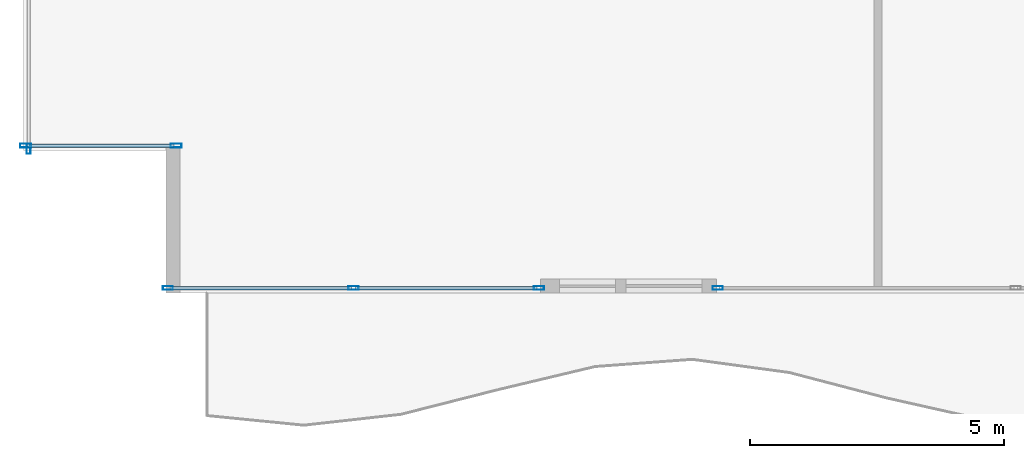
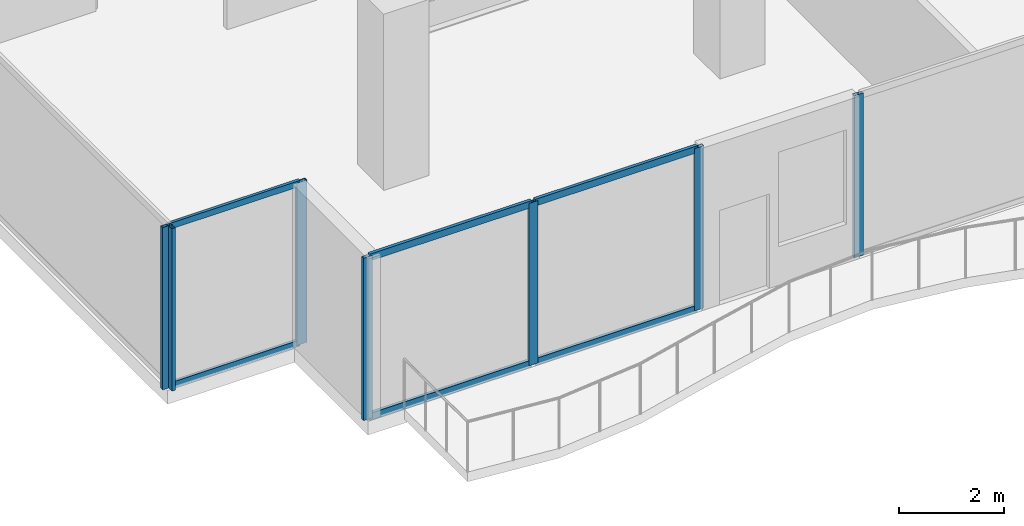
# One storey, part 2 of 31: 13 members, 4 elements without a shape of their own.
"""IFC4 building model written with IfcOpenShell, lengths in metres."""

import ifcopenshell
import ifcopenshell.guid

model = None  # the IFC model being written
_history = None  # IfcOwnerHistory: only IFC2X3 demands one
_inside = {}  # id of a spatial element -> (the spatial element, [elements in it])
_under = {}  # id of a project, library or spatial element -> (it, [spatial elements below it])
_declared = {}  # id of a project -> (the project, [libraries it declares])
_typed = {}  # id of a type object -> (the type object, [elements of that type])
_made_of = {}  # id of a material, layer set ... -> (it, [elements and type objects made of it])


def new_model(schema):
    """Start an empty IFC model of exactly this schema.

    Asked for "IFC4X3", IfcOpenShell would pick the latest addendum, in which some entities
    have other attributes; the version numbers below select the first issue.
    IFC2X3 requires an IfcOwnerHistory on every rooted entity: one is made here for all.
    """
    global model, _history
    if schema == "IFC4X3":
        model = ifcopenshell.file(schema_version=(4, 3, 0, 0))
    else:
        model = ifcopenshell.file(schema=schema)
    _inside.clear()
    _under.clear()
    _declared.clear()
    _typed.clear()
    _made_of.clear()
    _history = None
    if model.schema == "IFC2X3":
        org = make("IfcOrganization", Name="unknown")
        user = make(
            "IfcPersonAndOrganization",
            ThePerson=make("IfcPerson", FamilyName="unknown"),
            TheOrganization=org,
        )
        app = make(
            "IfcApplication",
            ApplicationDeveloper=org,
            Version="unknown",
            ApplicationFullName="unknown",
            ApplicationIdentifier="unknown",
        )
        _history = make(
            "IfcOwnerHistory",
            OwningUser=user,
            OwningApplication=app,
            ChangeAction="ADDED",
            CreationDate=0,
        )
    return model


def make(cls, **values):
    """One entity of the class cls with the attributes given. An attribute that is None is left unset."""
    return model.create_entity(
        cls, **{name: value for name, value in values.items() if value is not None}
    )


def rooted(cls, **values):
    """An entity with a GlobalId (a new one), such as an element, a storey or a relation."""
    return make(cls, GlobalId=ifcopenshell.guid.new(), OwnerHistory=_history, **values)


def si_unit(unit_type, name, prefix=None):
    """IfcSIUnit, for example si_unit("LENGTHUNIT", "METRE", prefix="MILLI")."""
    return make("IfcSIUnit", UnitType=unit_type, Prefix=prefix, Name=name)


def assignment(units):
    """IfcUnitAssignment: the units of a project."""
    return None if units is None else make("IfcUnitAssignment", Units=units)


def point(xyz):
    """IfcCartesianPoint."""
    return None if xyz is None else make("IfcCartesianPoint", Coordinates=xyz)


def direction(xyz):
    """IfcDirection."""
    return None if xyz is None else make("IfcDirection", DirectionRatios=xyz)


def frame(location, z_axis=None, x_axis=None):
    """IfcAxis2Placement3D, a coordinate frame: its origin and axes. An axis left out is left unset."""
    return make(
        "IfcAxis2Placement3D",
        Location=point(location),
        Axis=direction(z_axis),
        RefDirection=direction(x_axis),
    )


def frame_2d(location, x_axis=None):
    """IfcAxis2Placement2D, a coordinate frame in the plane: its origin and x axis."""
    return make(
        "IfcAxis2Placement2D", Location=point(location), RefDirection=direction(x_axis)
    )


def origin():
    """The frame at (0, 0, 0) with its axes left unset."""
    return frame((0.0, 0.0, 0.0))


def origin_2d():
    """The frame at (0, 0) in the plane with its x axis left unset."""
    return frame_2d((0.0, 0.0))


def place(relative_to, where):
    """IfcLocalPlacement: puts the frame where relative to a parent placement (None: the world)."""
    return make(
        "IfcLocalPlacement", PlacementRelTo=relative_to, RelativePlacement=where
    )


def context(
    kind, dimensions, precision=None, world=None, true_north=None, identifier=None
):
    """IfcGeometricRepresentationContext, for example the 3D "Model" context."""
    return make(
        "IfcGeometricRepresentationContext",
        ContextIdentifier=identifier,
        ContextType=kind,
        CoordinateSpaceDimension=dimensions,
        Precision=precision,
        WorldCoordinateSystem=world,
        TrueNorth=true_north,
    )


def subcontext(parent, identifier, kind, view, scale=None):
    """IfcGeometricRepresentationSubContext, for example "Body" below "Model"."""
    return make(
        "IfcGeometricRepresentationSubContext",
        ContextIdentifier=identifier,
        ContextType=kind,
        ParentContext=parent,
        TargetScale=scale,
        TargetView=view,
    )


def project(units=None, contexts=None):
    """IfcProject with its units and contexts."""
    return rooted(
        "IfcProject",
        Name="project",
        RepresentationContexts=contexts,
        UnitsInContext=assignment(units),
    )


def spatial(cls, under=None, at=None, **own):
    """A site, building, storey or space (cls), placed at a placement, below another one or the project."""
    s = rooted(cls, ObjectPlacement=at, **own)
    if under is not None:
        _under.setdefault(under.id(), (under, []))[1].append(s)
    return s


def profile(cls, at=None, kind="AREA", **sizes):
    """A parametric profile (cls). Its sizes go by their IFC names, for example OverallWidth=200.0."""
    return make(cls, ProfileType=kind, Position=at, **sizes)


def hollow_rectangle(**sizes):
    """IfcRectangleHollowProfileDef."""
    return profile("IfcRectangleHollowProfileDef", **sizes)


def extrude(swept, where, along, depth):
    """IfcExtrudedAreaSolid: the profile swept, set in the frame where, extruded along a direction by depth."""
    return make(
        "IfcExtrudedAreaSolid",
        SweptArea=swept,
        Position=where,
        ExtrudedDirection=direction(along),
        Depth=depth,
    )


def shape(context_of_items, identifier, shape_type, items):
    """IfcShapeRepresentation: the items that make up one representation, for example the "Body"."""
    return make(
        "IfcShapeRepresentation",
        ContextOfItems=context_of_items,
        RepresentationIdentifier=identifier,
        RepresentationType=shape_type,
        Items=items,
    )


def source(mapping_origin, context_of_items, identifier, shape_type, items):
    """IfcRepresentationMap: a shape defined once, which mapped items show again and again."""
    return make(
        "IfcRepresentationMap",
        MappingOrigin=mapping_origin,
        MappedRepresentation=shape(context_of_items, identifier, shape_type, items),
    )


def transform(
    local_origin,
    x_axis=None,
    y_axis=None,
    z_axis=None,
    scale=None,
    scale2=None,
    scale3=None,
    uniform=True,
):
    """IfcCartesianTransformationOperator3D, or its non-uniform kind. x_axis, y_axis, z_axis: its Axis1, 2, 3."""
    if uniform:
        return make(
            "IfcCartesianTransformationOperator3D",
            Axis1=direction(x_axis),
            Axis2=direction(y_axis),
            LocalOrigin=point(local_origin),
            Scale=scale,
            Axis3=direction(z_axis),
        )
    return make(
        "IfcCartesianTransformationOperator3DnonUniform",
        Axis1=direction(x_axis),
        Axis2=direction(y_axis),
        LocalOrigin=point(local_origin),
        Scale=scale,
        Axis3=direction(z_axis),
        Scale2=scale2,
        Scale3=scale3,
    )


def mapped(mapping_source, mapping_target):
    """IfcMappedItem: shows the shape of a source again, moved by a transform."""
    return make(
        "IfcMappedItem", MappingSource=mapping_source, MappingTarget=mapping_target
    )


def material(Name=None, Category=None):
    """IfcMaterial."""
    return make("IfcMaterial", Name=Name, Category=Category)


def layer(
    of_material, thickness, ventilated=None, Name=None, Category=None, Priority=None
):
    """IfcMaterialLayer: one layer of a wall or slab, of a material (None: an air gap)."""
    return make(
        "IfcMaterialLayer",
        Material=of_material,
        LayerThickness=thickness,
        IsVentilated=ventilated,
        Name=Name,
        Category=Category,
        Priority=Priority,
    )


def layer_set(layers, Name=None):
    """IfcMaterialLayerSet."""
    return make("IfcMaterialLayerSet", MaterialLayers=layers, LayerSetName=Name)


def material_profile(
    of_material, cross_section, Name=None, Category=None, Priority=None
):
    """IfcMaterialProfile: a cross section and its material."""
    return make(
        "IfcMaterialProfile",
        Name=Name,
        Material=of_material,
        Profile=cross_section,
        Priority=Priority,
        Category=Category,
    )


def profile_set(profiles, Name=None, composite=None):
    """IfcMaterialProfileSet."""
    return make(
        "IfcMaterialProfileSet",
        Name=Name,
        MaterialProfiles=profiles,
        CompositeProfile=composite,
    )


def made_of(thing, what):
    """Note that an element or type object is made of a material, layer set ...; save() writes the relation."""
    if what is not None:
        _made_of.setdefault(what.id(), (what, []))[1].append(thing)
    return thing


def type_object(cls, material=None, **own):
    """A type object (cls), such as IfcWallType, which elements share."""
    return made_of(rooted(cls, **own), material)


def type_shapes(of_type, sources):
    """Give a type object the sources (RepresentationMaps) that its elements show as mapped items."""
    of_type.RepresentationMaps = sources


def element(
    cls,
    number,
    at=None,
    inside=None,
    cuts=None,
    type_object=None,
    material=None,
    context=None,
    identifier="Body",
    shape_type=None,
    held_by="IfcProductDefinitionShape",
    body=None,
    shapes=None,
    **own,
):
    """One element of the class cls, such as IfcWall. Its Tag is "e" and its number.

    at: its placement. inside: the storey or other place that contains it. cuts: it is an
    opening in that element (IfcRelVoidsElement). A single representation is given by context,
    identifier, shape_type and body (its items); several are given by shapes. held_by: the class
    of the entity that holds the representations. save() writes the other relations.
    """
    e = rooted(cls, Tag="e%d" % number, ObjectPlacement=at, **own)
    if body is not None:
        shapes = [shape(context, identifier, shape_type, body)]
    if shapes is not None:
        e.Representation = make(held_by, Representations=shapes)
    if inside is not None:
        _inside.setdefault(inside.id(), (inside, []))[1].append(e)
    if cuts is not None:
        rooted(
            "IfcRelVoidsElement", RelatingBuildingElement=cuts, RelatedOpeningElement=e
        )
    if type_object is not None:
        _typed.setdefault(type_object.id(), (type_object, []))[1].append(e)
    return made_of(e, material)


def aggregate(whole, parts):
    """IfcRelAggregates: a whole, such as a stair, and the parts it consists of."""
    return rooted("IfcRelAggregates", RelatingObject=whole, RelatedObjects=parts)


def save(model, path):
    """Write the relations noted so far, then the file.

    IfcRelAggregates (storeys below a building ...), IfcRelContainedInSpatialStructure (elements
    in a storey), IfcRelDefinesByType, IfcRelAssociatesMaterial and IfcRelDeclares: one each for
    every whole, place, type object, material and project.
    """
    for whole, parts in _under.values():
        aggregate(whole, parts)
    for where, things in _inside.values():
        rooted(
            "IfcRelContainedInSpatialStructure",
            RelatedElements=things,
            RelatingStructure=where,
        )
    for kind, things in _typed.values():
        rooted("IfcRelDefinesByType", RelatedObjects=things, RelatingType=kind)
    for what, things in _made_of.values():
        rooted("IfcRelAssociatesMaterial", RelatedObjects=things, RelatingMaterial=what)
    for by, libraries in _declared.values():
        rooted("IfcRelDeclares", RelatingContext=by, RelatedDefinitions=libraries)
    model.write(path)


model = new_model("IFC4")

# Units and contexts
model_context = context("Model", 3, precision=1e-05, world=origin(), true_north=direction((0.0, 1.0)))
body_context = subcontext(model_context, "Body", "Model", "MODEL_VIEW")
ifc_project = project(units=[si_unit("LENGTHUNIT", "METRE"), si_unit("AREAUNIT", "SQUARE_METRE"), si_unit("VOLUMEUNIT", "CUBIC_METRE"), si_unit("PLANEANGLEUNIT", "RADIAN"), si_unit("MASSUNIT", "GRAM", prefix="KILO")], contexts=[model_context])

# Site, building, storey
site_placement = place(None, origin())
site = spatial("IfcSite", under=ifc_project, at=site_placement, CompositionType="ELEMENT")
building_placement = place(site_placement, origin())
building = spatial("IfcBuilding", under=site, at=building_placement, Name="Haelvirn Gate Laboratories", CompositionType="ELEMENT")
storey_placement = place(building_placement, frame((0.0, 0.0, 62.10009765625)))
storey = spatial("IfcBuildingStorey", under=building, at=storey_placement, Name="L15", CompositionType="ELEMENT", Elevation=62.10009765625)

# Curtain wall, members
ifc_material_1 = material(Name="Anodised bronze unitised aluminium & triple low-E glass", Category="aluminium")
ifc_layer_1 = layer(ifc_material_1, 0.181884765625, Name="CW-SYS-5")
ifc_layer_set_1 = layer_set([ifc_layer_1], Name="Anodised bronze unitised aluminium & triple low-E glass")
curtain_wall_type_1 = type_object("IfcCurtainWallType", Name="CW-SYS-5", PredefinedType="NOTDEFINED", material=ifc_layer_set_1)
curtain_wall_1_placement = place(storey_placement, origin())
curtain_wall_1 = element("IfcCurtainWall", 1, at=curtain_wall_1_placement, inside=storey, type_object=curtain_wall_type_1, Name="L15 Unitised Curtain Wall CW-L15-P0-E18-1", PredefinedType="NOTDEFINED")
ifc_material_2 = material(Name="Extruded aluminium 6063-T6 (anodised bronze)", Category="aluminium")
ifc_material_profile_1 = material_profile(ifc_material_2, hollow_rectangle(XDim=0.06494140625, YDim=0.139892578125, WallThickness=0.00390625, at=origin_2d()), Name="CWT-140x65x4")
ifc_profile_set_1 = profile_set([ifc_material_profile_1], Name="Extruded aluminium 6063-T6 (anodised bronze)")
member_type_1 = type_object("IfcMemberType", Name="CWT-T140", PredefinedType="USERDEFINED", material=ifc_profile_set_1)
shared_shape_1 = source(origin(), body_context, "Body", "SweptSolid", [
    extrude(hollow_rectangle(XDim=0.06494140625, YDim=0.139892578125, WallThickness=0.00390625, at=origin_2d()), origin(), (0.0, 0.0, 1.0), 2.8798828125),
])
type_shapes(member_type_1, [shared_shape_1])
member_1_placement = place(storey_placement, frame((0.080078125, 2.89990234375, 0.032470703125), z_axis=(1.0, 0.0, 0.0), x_axis=(0.0, 1.0, 0.0)))
member_1 = element("IfcMember", 2, at=member_1_placement, type_object=member_type_1, Name="CW5 transom 1.1", ObjectType="TRANSOM", PredefinedType="USERDEFINED", context=body_context, shape_type="MappedRepresentation", body=[
    mapped(shared_shape_1, transform((0.0, 0.0, 0.0), scale=1.0)),
])
member_2_placement = place(storey_placement, frame((0.080078125, 2.89990234375, 3.747314453125), z_axis=(1.0, 0.0, 0.0), x_axis=(0.0, 1.0, 0.0)))
member_2 = element("IfcMember", 3, at=member_2_placement, type_object=member_type_1, Name="CW5 transom 1.2", ObjectType="TRANSOM", PredefinedType="USERDEFINED", context=body_context, shape_type="MappedRepresentation", body=[
    mapped(shared_shape_1, transform((0.0, 0.0, 0.0), scale=1.0)),
])

ifc_layer_2 = layer(ifc_material_1, 0.18408203125, Name="CW-SYS-2")
ifc_layer_set_2 = layer_set([ifc_layer_2], Name="Anodised bronze unitised aluminium & triple low-E glass")
curtain_wall_type_2 = type_object("IfcCurtainWallType", Name="CW-SYS-2", PredefinedType="NOTDEFINED", material=ifc_layer_set_2)
curtain_wall_2_placement = place(storey_placement, origin())
curtain_wall_2 = element("IfcCurtainWall", 4, at=curtain_wall_2_placement, inside=storey, type_object=curtain_wall_type_2, Name="L15 Unitised Curtain Wall CW-L15-P0-E00-1", PredefinedType="NOTDEFINED")
ifc_material_profile_2 = material_profile(ifc_material_2, hollow_rectangle(XDim=0.074951171875, YDim=0.199951171875, WallThickness=0.0048828125, at=origin_2d()), Name="CWM-200x75x5")
ifc_profile_set_2 = profile_set([ifc_material_profile_2], Name="Extruded aluminium 6063-T6 (anodised bronze)")
member_type_2 = type_object("IfcMemberType", Name="CWM-T200", PredefinedType="MULLION", material=ifc_profile_set_2)
shared_shape_2 = source(origin(), body_context, "Body", "SweptSolid", [
    extrude(hollow_rectangle(XDim=0.074951171875, YDim=0.199951171875, WallThickness=0.0048828125, at=origin_2d()), origin(), (0.0, 0.0, 1.0), 3.77978515625),
])
type_shapes(member_type_2, [shared_shape_2])
member_3_placement = place(storey_placement, frame((2.83740234375, 0.10009765625, 0.0), z_axis=(0.0, 0.0, 1.0), x_axis=(0.0, 1.0, 0.0)))
member_3 = element("IfcMember", 5, at=member_3_placement, type_object=member_type_2, Name="CW2 mullion 1", PredefinedType="MULLION", context=body_context, shape_type="MappedRepresentation", body=[
    mapped(shared_shape_2, transform((0.0, 0.0, 0.0), scale=1.0)),
])
member_4_placement = place(storey_placement, frame((6.485107421875, 0.10009765625, 0.0), z_axis=(0.0, 0.0, 1.0), x_axis=(0.0, 1.0, 0.0)))
member_4 = element("IfcMember", 6, at=member_4_placement, type_object=member_type_2, Name="CW2 mullion 2", PredefinedType="MULLION", context=body_context, shape_type="MappedRepresentation", body=[
    mapped(shared_shape_2, transform((0.0, 0.0, 0.0), scale=1.0)),
])
member_5_placement = place(storey_placement, frame((10.132568359375, 0.10009765625, 0.0), z_axis=(0.0, 0.0, 1.0), x_axis=(0.0, 1.0, 0.0)))
member_5 = element("IfcMember", 7, at=member_5_placement, type_object=member_type_2, Name="CW2 mullion 3", PredefinedType="MULLION", context=body_context, shape_type="MappedRepresentation", body=[
    mapped(shared_shape_2, transform((0.0, 0.0, 0.0), scale=1.0)),
])

# Curtain wall, member
curtain_wall_3_placement = place(storey_placement, origin())
curtain_wall_3 = element("IfcCurtainWall", 8, at=curtain_wall_3_placement, inside=storey, type_object=curtain_wall_type_2, Name="L15 Unitised Curtain Wall CW-L15-P0-E00-2", PredefinedType="NOTDEFINED")
member_6_placement = place(storey_placement, frame((13.6474609375, 0.10009765625, 0.0), z_axis=(0.0, 0.0, 1.0), x_axis=(0.0, 1.0, 0.0)))
member_6 = element("IfcMember", 9, at=member_6_placement, type_object=member_type_2, Name="CW2 mullion 1", PredefinedType="MULLION", context=body_context, shape_type="MappedRepresentation", body=[
    mapped(shared_shape_2, transform((0.0, 0.0, 0.0), scale=1.0)),
])
aggregate(curtain_wall_3, [member_6])

curtain_wall_4_placement = place(storey_placement, origin())
curtain_wall_4 = element("IfcCurtainWall", 10, at=curtain_wall_4_placement, inside=storey, type_object=curtain_wall_type_2, Name="L15 Unitised Curtain Wall CW-L15-P0-E17", PredefinedType="NOTDEFINED")
member_7_placement = place(storey_placement, frame((0.10009765625, 2.83740234375, 0.0), z_axis=(0.0, 0.0, 1.0), x_axis=(1.0, 0.0, 0.0)))
member_7 = element("IfcMember", 11, at=member_7_placement, type_object=member_type_2, Name="CW2 mullion 4", PredefinedType="MULLION", context=body_context, shape_type="MappedRepresentation", body=[
    mapped(shared_shape_2, transform((0.0, 0.0, 0.0), scale=1.0)),
])
aggregate(curtain_wall_4, [member_7])

# Member
ifc_material_profile_3 = material_profile(ifc_material_2, hollow_rectangle(XDim=0.080078125, YDim=0.219970703125, WallThickness=0.006103515625, at=origin_2d()), Name="CWM-220x80x6")
ifc_profile_set_3 = profile_set([ifc_material_profile_3], Name="Extruded aluminium 6063-T6 (anodised bronze)")
member_type_3 = type_object("IfcMemberType", Name="CWM-T220", PredefinedType="MULLION", material=ifc_profile_set_3)
shared_shape_3 = source(origin(), body_context, "Body", "SweptSolid", [
    extrude(hollow_rectangle(XDim=0.080078125, YDim=0.219970703125, WallThickness=0.006103515625, at=origin_2d()), origin(), (0.0, 0.0, 1.0), 3.77978515625),
])
type_shapes(member_type_3, [shared_shape_3])
member_8_placement = place(storey_placement, frame((0.0400390625, 2.89990234375, 0.0), z_axis=(0.0, 0.0, 1.0), x_axis=(0.0, 1.0, 0.0)))
member_8 = element("IfcMember", 12, at=member_8_placement, type_object=member_type_3, Name="CW5 mullion 1", PredefinedType="MULLION", context=body_context, shape_type="MappedRepresentation", body=[
    mapped(shared_shape_3, transform((0.0, 0.0, 0.0), scale=1.0)),
])

member_9_placement = place(storey_placement, frame((3.0, 2.89990234375, 0.0), z_axis=(0.0, 0.0, 1.0), x_axis=(0.0, 1.0, 0.0)))
member_9 = element("IfcMember", 13, at=member_9_placement, type_object=member_type_3, Name="CW5 mullion 2", PredefinedType="MULLION", context=body_context, shape_type="MappedRepresentation", body=[
    mapped(shared_shape_3, transform((0.0, 0.0, 0.0), scale=1.0)),
])

aggregate(curtain_wall_1, [member_8, member_9, member_1, member_2])

ifc_material_profile_4 = material_profile(ifc_material_2, hollow_rectangle(XDim=0.070068359375, YDim=0.159912109375, WallThickness=0.0048828125, at=origin_2d()), Name="CWT-160x70x5")
ifc_profile_set_4 = profile_set([ifc_material_profile_4], Name="Extruded aluminium 6063-T6 (anodised bronze)")
member_type_4 = type_object("IfcMemberType", Name="CWT-T160", PredefinedType="USERDEFINED", material=ifc_profile_set_4)
shared_shape_4 = source(origin(), body_context, "Body", "SweptSolid", [
    extrude(hollow_rectangle(XDim=0.070068359375, YDim=0.159912109375, WallThickness=0.0048828125, at=origin_2d()), origin(), (0.0, 0.0, 1.0), 3.572509765625),
])
type_shapes(member_type_4, [shared_shape_4])
member_10_placement = place(storey_placement, frame((2.875, 0.10009765625, 0.034912109375), z_axis=(1.0, 0.0, 0.0), x_axis=(0.0, 1.0, 0.0)))
member_10 = element("IfcMember", 14, at=member_10_placement, type_object=member_type_4, Name="CW2 transom 1.1", ObjectType="TRANSOM", PredefinedType="USERDEFINED", context=body_context, shape_type="MappedRepresentation", body=[
    mapped(shared_shape_4, transform((0.0, 0.0, 0.0), scale=1.0)),
])

member_11_placement = place(storey_placement, frame((2.875, 0.10009765625, 3.744873046875), z_axis=(1.0, 0.0, 0.0), x_axis=(0.0, 1.0, 0.0)))
member_11 = element("IfcMember", 15, at=member_11_placement, type_object=member_type_4, Name="CW2 transom 1.2", ObjectType="TRANSOM", PredefinedType="USERDEFINED", context=body_context, shape_type="MappedRepresentation", body=[
    mapped(shared_shape_4, transform((0.0, 0.0, 0.0), scale=1.0)),
])

member_12_placement = place(storey_placement, frame((6.5224609375, 0.10009765625, 0.034912109375), z_axis=(1.0, 0.0, 0.0), x_axis=(0.0, 1.0, 0.0)))
member_12 = element("IfcMember", 16, at=member_12_placement, type_object=member_type_4, Name="CW2 transom 2.1", ObjectType="TRANSOM", PredefinedType="USERDEFINED", context=body_context, shape_type="MappedRepresentation", body=[
    mapped(shared_shape_4, transform((0.0, 0.0, 0.0), scale=1.0)),
])

member_13_placement = place(storey_placement, frame((6.5224609375, 0.10009765625, 3.744873046875), z_axis=(1.0, 0.0, 0.0), x_axis=(0.0, 1.0, 0.0)))
member_13 = element("IfcMember", 17, at=member_13_placement, type_object=member_type_4, Name="CW2 transom 2.2", ObjectType="TRANSOM", PredefinedType="USERDEFINED", context=body_context, shape_type="MappedRepresentation", body=[
    mapped(shared_shape_4, transform((0.0, 0.0, 0.0), scale=1.0)),
])

aggregate(curtain_wall_2, [member_3, member_4, member_5, member_10, member_11, member_12, member_13])

save(model, "model.ifc")
